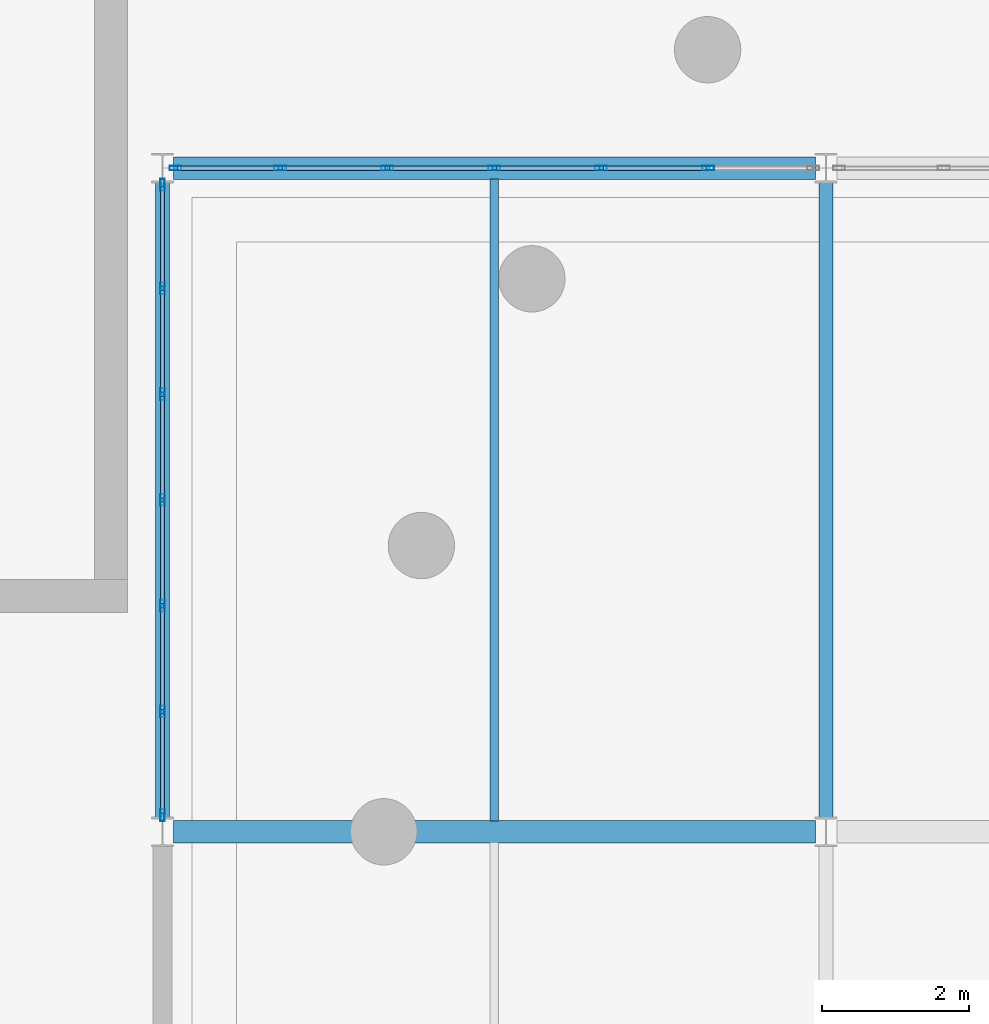
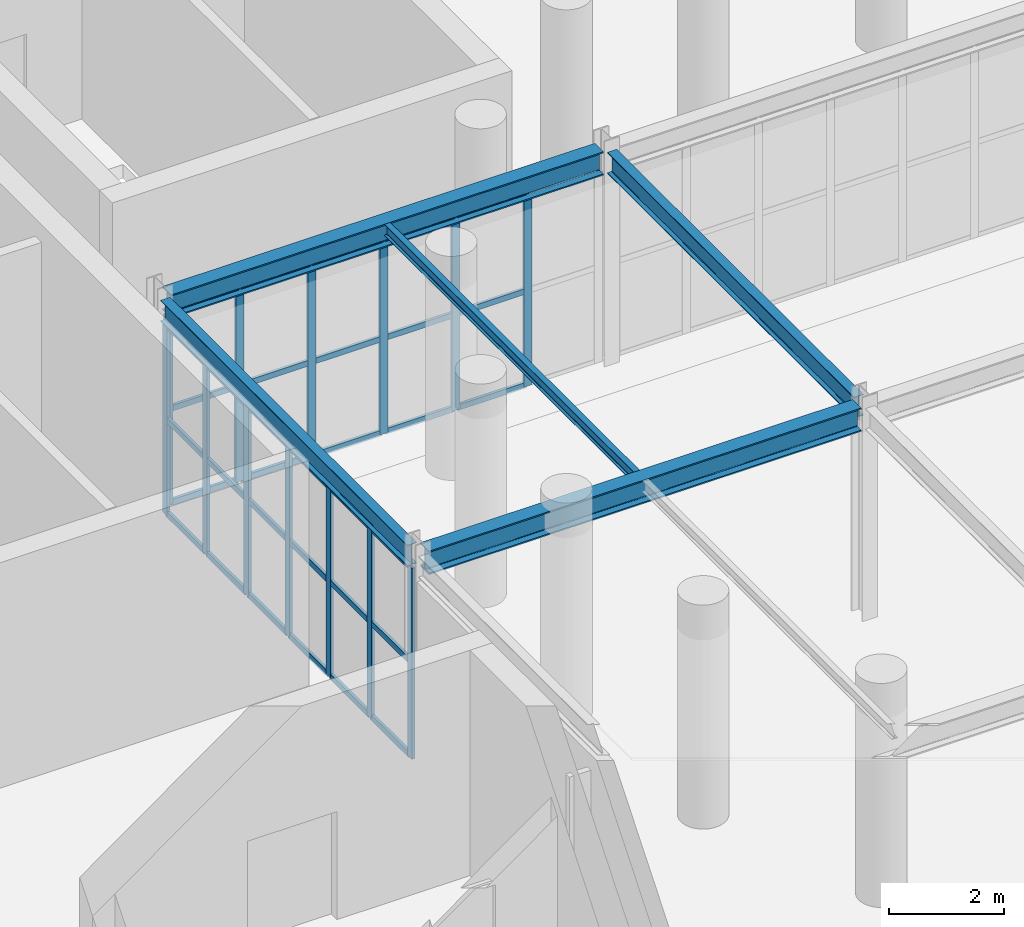
# One storey, part 8 of 29: 46 members, 5 beams, 2 elements without a shape of their own.
"""IFC4 building model written with IfcOpenShell, lengths in metres."""

import ifcopenshell
import ifcopenshell.guid

model = None  # the IFC model being written
_history = None  # IfcOwnerHistory: only IFC2X3 demands one
_inside = {}  # id of a spatial element -> (the spatial element, [elements in it])
_under = {}  # id of a project, library or spatial element -> (it, [spatial elements below it])
_declared = {}  # id of a project -> (the project, [libraries it declares])
_typed = {}  # id of a type object -> (the type object, [elements of that type])
_made_of = {}  # id of a material, layer set ... -> (it, [elements and type objects made of it])


def new_model(schema):
    """Start an empty IFC model of exactly this schema.

    Asked for "IFC4X3", IfcOpenShell would pick the latest addendum, in which some entities
    have other attributes; the version numbers below select the first issue.
    IFC2X3 requires an IfcOwnerHistory on every rooted entity: one is made here for all.
    """
    global model, _history
    if schema == "IFC4X3":
        model = ifcopenshell.file(schema_version=(4, 3, 0, 0))
    else:
        model = ifcopenshell.file(schema=schema)
    _inside.clear()
    _under.clear()
    _declared.clear()
    _typed.clear()
    _made_of.clear()
    _history = None
    if model.schema == "IFC2X3":
        org = make("IfcOrganization", Name="unknown")
        user = make(
            "IfcPersonAndOrganization",
            ThePerson=make("IfcPerson", FamilyName="unknown"),
            TheOrganization=org,
        )
        app = make(
            "IfcApplication",
            ApplicationDeveloper=org,
            Version="unknown",
            ApplicationFullName="unknown",
            ApplicationIdentifier="unknown",
        )
        _history = make(
            "IfcOwnerHistory",
            OwningUser=user,
            OwningApplication=app,
            ChangeAction="ADDED",
            CreationDate=0,
        )
    return model


def make(cls, **values):
    """One entity of the class cls with the attributes given. An attribute that is None is left unset."""
    return model.create_entity(
        cls, **{name: value for name, value in values.items() if value is not None}
    )


def rooted(cls, **values):
    """An entity with a GlobalId (a new one), such as an element, a storey or a relation."""
    return make(cls, GlobalId=ifcopenshell.guid.new(), OwnerHistory=_history, **values)


def si_unit(unit_type, name, prefix=None):
    """IfcSIUnit, for example si_unit("LENGTHUNIT", "METRE", prefix="MILLI")."""
    return make("IfcSIUnit", UnitType=unit_type, Prefix=prefix, Name=name)


def assignment(units):
    """IfcUnitAssignment: the units of a project."""
    return None if units is None else make("IfcUnitAssignment", Units=units)


def point(xyz):
    """IfcCartesianPoint."""
    return None if xyz is None else make("IfcCartesianPoint", Coordinates=xyz)


def direction(xyz):
    """IfcDirection."""
    return None if xyz is None else make("IfcDirection", DirectionRatios=xyz)


def frame(location, z_axis=None, x_axis=None):
    """IfcAxis2Placement3D, a coordinate frame: its origin and axes. An axis left out is left unset."""
    return make(
        "IfcAxis2Placement3D",
        Location=point(location),
        Axis=direction(z_axis),
        RefDirection=direction(x_axis),
    )


def frame_2d(location, x_axis=None):
    """IfcAxis2Placement2D, a coordinate frame in the plane: its origin and x axis."""
    return make(
        "IfcAxis2Placement2D", Location=point(location), RefDirection=direction(x_axis)
    )


def origin():
    """The frame at (0, 0, 0) with its axes left unset."""
    return frame((0.0, 0.0, 0.0))


def origin_2d():
    """The frame at (0, 0) in the plane with its x axis left unset."""
    return frame_2d((0.0, 0.0))


def place(relative_to, where):
    """IfcLocalPlacement: puts the frame where relative to a parent placement (None: the world)."""
    return make(
        "IfcLocalPlacement", PlacementRelTo=relative_to, RelativePlacement=where
    )


def context(
    kind, dimensions, precision=None, world=None, true_north=None, identifier=None
):
    """IfcGeometricRepresentationContext, for example the 3D "Model" context."""
    return make(
        "IfcGeometricRepresentationContext",
        ContextIdentifier=identifier,
        ContextType=kind,
        CoordinateSpaceDimension=dimensions,
        Precision=precision,
        WorldCoordinateSystem=world,
        TrueNorth=true_north,
    )


def subcontext(parent, identifier, kind, view, scale=None):
    """IfcGeometricRepresentationSubContext, for example "Body" below "Model"."""
    return make(
        "IfcGeometricRepresentationSubContext",
        ContextIdentifier=identifier,
        ContextType=kind,
        ParentContext=parent,
        TargetScale=scale,
        TargetView=view,
    )


def project(units=None, contexts=None):
    """IfcProject with its units and contexts."""
    return rooted(
        "IfcProject",
        Name="project",
        RepresentationContexts=contexts,
        UnitsInContext=assignment(units),
    )


def spatial(cls, under=None, at=None, **own):
    """A site, building, storey or space (cls), placed at a placement, below another one or the project."""
    s = rooted(cls, ObjectPlacement=at, **own)
    if under is not None:
        _under.setdefault(under.id(), (under, []))[1].append(s)
    return s


def profile(cls, at=None, kind="AREA", **sizes):
    """A parametric profile (cls). Its sizes go by their IFC names, for example OverallWidth=200.0."""
    return make(cls, ProfileType=kind, Position=at, **sizes)


def hollow_rectangle(**sizes):
    """IfcRectangleHollowProfileDef."""
    return profile("IfcRectangleHollowProfileDef", **sizes)


def i_section(**sizes):
    """IfcIShapeProfileDef."""
    return profile("IfcIShapeProfileDef", **sizes)


def extrude(swept, where, along, depth):
    """IfcExtrudedAreaSolid: the profile swept, set in the frame where, extruded along a direction by depth."""
    return make(
        "IfcExtrudedAreaSolid",
        SweptArea=swept,
        Position=where,
        ExtrudedDirection=direction(along),
        Depth=depth,
    )


def shape(context_of_items, identifier, shape_type, items):
    """IfcShapeRepresentation: the items that make up one representation, for example the "Body"."""
    return make(
        "IfcShapeRepresentation",
        ContextOfItems=context_of_items,
        RepresentationIdentifier=identifier,
        RepresentationType=shape_type,
        Items=items,
    )


def material(Name=None, Category=None):
    """IfcMaterial."""
    return make("IfcMaterial", Name=Name, Category=Category)


def layer(
    of_material, thickness, ventilated=None, Name=None, Category=None, Priority=None
):
    """IfcMaterialLayer: one layer of a wall or slab, of a material (None: an air gap)."""
    return make(
        "IfcMaterialLayer",
        Material=of_material,
        LayerThickness=thickness,
        IsVentilated=ventilated,
        Name=Name,
        Category=Category,
        Priority=Priority,
    )


def layer_set(layers, Name=None):
    """IfcMaterialLayerSet."""
    return make("IfcMaterialLayerSet", MaterialLayers=layers, LayerSetName=Name)


def material_profile(
    of_material, cross_section, Name=None, Category=None, Priority=None
):
    """IfcMaterialProfile: a cross section and its material."""
    return make(
        "IfcMaterialProfile",
        Name=Name,
        Material=of_material,
        Profile=cross_section,
        Priority=Priority,
        Category=Category,
    )


def profile_set(profiles, Name=None, composite=None):
    """IfcMaterialProfileSet."""
    return make(
        "IfcMaterialProfileSet",
        Name=Name,
        MaterialProfiles=profiles,
        CompositeProfile=composite,
    )


def made_of(thing, what):
    """Note that an element or type object is made of a material, layer set ...; save() writes the relation."""
    if what is not None:
        _made_of.setdefault(what.id(), (what, []))[1].append(thing)
    return thing


def type_object(cls, material=None, **own):
    """A type object (cls), such as IfcWallType, which elements share."""
    return made_of(rooted(cls, **own), material)


def element(
    cls,
    number,
    at=None,
    inside=None,
    cuts=None,
    type_object=None,
    material=None,
    context=None,
    identifier="Body",
    shape_type=None,
    held_by="IfcProductDefinitionShape",
    body=None,
    shapes=None,
    **own,
):
    """One element of the class cls, such as IfcWall. Its Tag is "e" and its number.

    at: its placement. inside: the storey or other place that contains it. cuts: it is an
    opening in that element (IfcRelVoidsElement). A single representation is given by context,
    identifier, shape_type and body (its items); several are given by shapes. held_by: the class
    of the entity that holds the representations. save() writes the other relations.
    """
    e = rooted(cls, Tag="e%d" % number, ObjectPlacement=at, **own)
    if body is not None:
        shapes = [shape(context, identifier, shape_type, body)]
    if shapes is not None:
        e.Representation = make(held_by, Representations=shapes)
    if inside is not None:
        _inside.setdefault(inside.id(), (inside, []))[1].append(e)
    if cuts is not None:
        rooted(
            "IfcRelVoidsElement", RelatingBuildingElement=cuts, RelatedOpeningElement=e
        )
    if type_object is not None:
        _typed.setdefault(type_object.id(), (type_object, []))[1].append(e)
    return made_of(e, material)


def aggregate(whole, parts):
    """IfcRelAggregates: a whole, such as a stair, and the parts it consists of."""
    return rooted("IfcRelAggregates", RelatingObject=whole, RelatedObjects=parts)


def save(model, path):
    """Write the relations noted so far, then the file.

    IfcRelAggregates (storeys below a building ...), IfcRelContainedInSpatialStructure (elements
    in a storey), IfcRelDefinesByType, IfcRelAssociatesMaterial and IfcRelDeclares: one each for
    every whole, place, type object, material and project.
    """
    for whole, parts in _under.values():
        aggregate(whole, parts)
    for where, things in _inside.values():
        rooted(
            "IfcRelContainedInSpatialStructure",
            RelatedElements=things,
            RelatingStructure=where,
        )
    for kind, things in _typed.values():
        rooted("IfcRelDefinesByType", RelatedObjects=things, RelatingType=kind)
    for what, things in _made_of.values():
        rooted("IfcRelAssociatesMaterial", RelatedObjects=things, RelatingMaterial=what)
    for by, libraries in _declared.values():
        rooted("IfcRelDeclares", RelatingContext=by, RelatedDefinitions=libraries)
    model.write(path)


model = new_model("IFC4")

# Units and contexts
model_context = context("Model", 3, precision=1e-05, world=origin(), true_north=direction((0.0, 1.0)))
body_context = subcontext(model_context, "Body", "Model", "MODEL_VIEW")
ifc_project = project(units=[si_unit("LENGTHUNIT", "METRE"), si_unit("AREAUNIT", "SQUARE_METRE"), si_unit("VOLUMEUNIT", "CUBIC_METRE"), si_unit("PLANEANGLEUNIT", "RADIAN"), si_unit("MASSUNIT", "GRAM", prefix="KILO")], contexts=[model_context])

# Site, building, storey
site_placement = place(None, origin())
site = spatial("IfcSite", under=ifc_project, at=site_placement, CompositionType="ELEMENT")
building_placement = place(site_placement, origin())
building = spatial("IfcBuilding", under=site, at=building_placement, Name="Dornveld Trade and Exhibition Forum", CompositionType="ELEMENT")
storey_placement = place(building_placement, frame((0.0, 0.0, 21.60009765625)))
storey = spatial("IfcBuildingStorey", under=building, at=storey_placement, Name="L04", CompositionType="ELEMENT", Elevation=21.60009765625)

# Beams
ifc_material_1 = material(Name="Steel S355J2", Category="steel")
ifc_material_profile_1 = material_profile(ifc_material_1, i_section(OverallWidth=0.300048828125, OverallDepth=0.5, WebThickness=0.014404296875, FlangeThickness=0.028076171875, FilletRadius=0.027099609375, at=origin_2d()), Name="HEB 500")
ifc_profile_set_1 = profile_set([ifc_material_profile_1], Name="Steel S355J2")
beam_type_1 = type_object("IfcBeamType", Name="BM-GIR-HEB500", PredefinedType="USERDEFINED", material=ifc_profile_set_1)
for number, where, z_axis, x_axis, name in (
    (1, (99.14599609375, 81.0, 4.2998046875), (1.0, 0.0, 0.0), (0.0, 1.0, 0.0), "L04 X-girder 1680"),
    (2, (99.14599609375, 90.0, 4.2998046875), (1.0, 0.0, 0.0), (0.0, 1.0, 0.0), "L04 X-girder 1683"),
):
    element("IfcBeam", number, at=place(storey_placement, frame(where, z_axis=z_axis, x_axis=x_axis)), inside=storey, type_object=beam_type_1, Name=name, ObjectType="GIRDER", PredefinedType="USERDEFINED", context=body_context, shape_type="SweptSolid", body=[
        extrude(i_section(OverallWidth=0.300048828125, OverallDepth=0.5, WebThickness=0.014404296875, FlangeThickness=0.028076171875, FilletRadius=0.027099609375, at=origin_2d()), origin(), (0.0, 0.0, 1.0), 8.7080078125),
    ])
ifc_material_2 = material(Name="Steel S355J2", Category="steel")
ifc_material_profile_2 = material_profile(ifc_material_2, i_section(OverallWidth=0.1201171875, OverallDepth=0.239990234375, WebThickness=0.006103515625, FlangeThickness=0.009765625, FilletRadius=0.014892578125, at=origin_2d()), Name="IPE 240")
ifc_profile_set_2 = profile_set([ifc_material_profile_2], Name="Steel S355J2")
beam_type_2 = type_object("IfcBeamType", Name="BM-JOIST-240", PredefinedType="JOIST", material=ifc_profile_set_2)
beam_placement = place(storey_placement, frame((103.5, 81.14697265625, 4.429931640625), z_axis=(0.0, 1.0, 0.0), x_axis=(-1.0, 0.0, 0.0)))
element("IfcBeam", 3, at=beam_placement, inside=storey, type_object=beam_type_2, Name="L04 secondary joist 1700", PredefinedType="JOIST", context=body_context, shape_type="SweptSolid", body=[
    extrude(i_section(OverallWidth=0.1201171875, OverallDepth=0.239990234375, WebThickness=0.006103515625, FlangeThickness=0.009765625, FilletRadius=0.014892578125, at=origin_2d()), origin(), (0.0, 0.0, 1.0), 8.7060546875),
])
ifc_material_3 = material(Name="Steel S355J2", Category="steel")
ifc_material_profile_3 = material_profile(ifc_material_3, i_section(OverallWidth=0.18994140625, OverallDepth=0.449951171875, WebThickness=0.009521484375, FlangeThickness=0.0146484375, FilletRadius=0.02099609375, at=origin_2d()), Name="IPE 450")
ifc_profile_set_3 = profile_set([ifc_material_profile_3], Name="Steel S355J2")
beam_type_3 = type_object("IfcBeamType", Name="BM-SEC-450", PredefinedType="BEAM", material=ifc_profile_set_3)
for number, where, z_axis, x_axis, name in (
    (4, (99.0, 81.196044921875, 4.324951171875), (0.0, 1.0, 0.0), (-1.0, 0.0, 0.0), "L04 Y-girder 1688"),
    (5, (108.0, 81.196044921875, 4.324951171875), (0.0, 1.0, 0.0), (-1.0, 0.0, 0.0), "L04 Y-girder 1691"),
):
    element("IfcBeam", number, at=place(storey_placement, frame(where, z_axis=z_axis, x_axis=x_axis)), inside=storey, type_object=beam_type_3, Name=name, PredefinedType="BEAM", context=body_context, shape_type="SweptSolid", body=[
        extrude(i_section(OverallWidth=0.18994140625, OverallDepth=0.449951171875, WebThickness=0.009521484375, FlangeThickness=0.0146484375, FilletRadius=0.02099609375, at=origin_2d()), origin(), (0.0, 0.0, 1.0), 8.60791015625),
    ])

# Curtain wall, members
ifc_material_4 = material(Name="Dark-bronze anodised aluminium and low-E glass", Category="aluminium")
ifc_layer_1 = layer(ifc_material_4, 0.18994140625)
ifc_layer_set_1 = layer_set([ifc_layer_1], Name="Dark-bronze anodised aluminium and low-E glass")
curtain_wall_type_1 = type_object("IfcCurtainWallType", Name="CW-SYS-16", PredefinedType="USERDEFINED", material=ifc_layer_set_1)
curtain_wall_1_placement = place(storey_placement, origin())
curtain_wall_1 = element("IfcCurtainWall", 6, at=curtain_wall_1_placement, inside=storey, type_object=curtain_wall_type_1, Name="L04 unitised curtain wall 124", ObjectType="UNITISED_CURTAIN_WALL", PredefinedType="USERDEFINED")
ifc_material_5 = material(Name="Dark-bronze anodised aluminium", Category="aluminium")
ifc_material_profile_4 = material_profile(ifc_material_5, hollow_rectangle(XDim=0.06005859375, YDim=0.159912109375, WallThickness=0.00390625, at=origin_2d()), Name="RHS 160x60x4")
ifc_profile_set_4 = profile_set([ifc_material_profile_4], Name="Dark-bronze anodised aluminium")
member_type_1 = type_object("IfcMemberType", Name="CW-MUL-160", PredefinedType="MULLION", material=ifc_profile_set_4)
member_1_placement = place(storey_placement, frame((106.402587890625, 90.0, -0.004150390625), z_axis=(0.0, 0.0, 1.0), x_axis=(0.0, -1.0, 0.0)))
member_1 = element("IfcMember", 7, at=member_1_placement, type_object=member_type_1, Name="CW-16 mullion 2", PredefinedType="MULLION", context=body_context, shape_type="SweptSolid", body=[
    extrude(hollow_rectangle(XDim=0.06005859375, YDim=0.159912109375, WallThickness=0.00390625, at=origin_2d()), origin(), (0.0, 0.0, 1.0), 4.06396484375),
])
member_2_placement = place(storey_placement, frame((104.951416015625, 90.0, -0.004150390625), z_axis=(0.0, 0.0, 1.0), x_axis=(0.0, -1.0, 0.0)))
member_2 = element("IfcMember", 8, at=member_2_placement, type_object=member_type_1, Name="CW-16 mullion 3", PredefinedType="MULLION", context=body_context, shape_type="SweptSolid", body=[
    extrude(hollow_rectangle(XDim=0.06005859375, YDim=0.159912109375, WallThickness=0.00390625, at=origin_2d()), origin(), (0.0, 0.0, 1.0), 4.06396484375),
])
member_3_placement = place(storey_placement, frame((103.5, 90.0, -0.004150390625), z_axis=(0.0, 0.0, 1.0), x_axis=(0.0, -1.0, 0.0)))
member_3 = element("IfcMember", 9, at=member_3_placement, type_object=member_type_1, Name="CW-16 mullion 4", PredefinedType="MULLION", context=body_context, shape_type="SweptSolid", body=[
    extrude(hollow_rectangle(XDim=0.06005859375, YDim=0.159912109375, WallThickness=0.00390625, at=origin_2d()), origin(), (0.0, 0.0, 1.0), 4.06396484375),
])
member_4_placement = place(storey_placement, frame((102.048583984375, 90.0, -0.004150390625), z_axis=(0.0, 0.0, 1.0), x_axis=(0.0, -1.0, 0.0)))
member_4 = element("IfcMember", 10, at=member_4_placement, type_object=member_type_1, Name="CW-16 mullion 5", PredefinedType="MULLION", context=body_context, shape_type="SweptSolid", body=[
    extrude(hollow_rectangle(XDim=0.06005859375, YDim=0.159912109375, WallThickness=0.00390625, at=origin_2d()), origin(), (0.0, 0.0, 1.0), 4.06396484375),
])
member_5_placement = place(storey_placement, frame((100.597412109375, 90.0, -0.004150390625), z_axis=(0.0, 0.0, 1.0), x_axis=(0.0, -1.0, 0.0)))
member_5 = element("IfcMember", 11, at=member_5_placement, type_object=member_type_1, Name="CW-16 mullion 6", PredefinedType="MULLION", context=body_context, shape_type="SweptSolid", body=[
    extrude(hollow_rectangle(XDim=0.06005859375, YDim=0.159912109375, WallThickness=0.00390625, at=origin_2d()), origin(), (0.0, 0.0, 1.0), 4.06396484375),
])
member_6_placement = place(storey_placement, frame((99.176025390625, 90.0, -0.004150390625), z_axis=(0.0, 0.0, 1.0), x_axis=(0.0, -1.0, 0.0)))
member_6 = element("IfcMember", 12, at=member_6_placement, type_object=member_type_1, Name="CW-16 mullion 7", PredefinedType="MULLION", context=body_context, shape_type="SweptSolid", body=[
    extrude(hollow_rectangle(XDim=0.06005859375, YDim=0.159912109375, WallThickness=0.00390625, at=origin_2d()), origin(), (0.0, 0.0, 1.0), 4.06396484375),
])

ifc_material_6 = material(Name="Dark-bronze anodised aluminium and low-E glass", Category="aluminium")
ifc_layer_2 = layer(ifc_material_6, 0.159912109375)
ifc_layer_set_2 = layer_set([ifc_layer_2], Name="Dark-bronze anodised aluminium and low-E glass")
curtain_wall_type_2 = type_object("IfcCurtainWallType", Name="CW-SYS-06", PredefinedType="USERDEFINED", material=ifc_layer_set_2)
curtain_wall_2_placement = place(storey_placement, origin())
curtain_wall_2 = element("IfcCurtainWall", 13, at=curtain_wall_2_placement, inside=storey, type_object=curtain_wall_type_2, Name="L04 unitised curtain wall 132", ObjectType="UNITISED_CURTAIN_WALL", PredefinedType="USERDEFINED")
member_7_placement = place(storey_placement, frame((99.0, 89.77392578125, -0.004150390625), z_axis=(0.0, 0.0, 1.0), x_axis=(1.0, 0.0, 0.0)))
member_7 = element("IfcMember", 14, at=member_7_placement, type_object=member_type_1, Name="CW-06 mullion 1", PredefinedType="MULLION", context=body_context, shape_type="SweptSolid", body=[
    extrude(hollow_rectangle(XDim=0.06005859375, YDim=0.159912109375, WallThickness=0.00390625, at=origin_2d()), origin(), (0.0, 0.0, 1.0), 4.06396484375),
])
member_8_placement = place(storey_placement, frame((99.0, 88.369384765625, -0.004150390625), z_axis=(0.0, 0.0, 1.0), x_axis=(1.0, 0.0, 0.0)))
member_8 = element("IfcMember", 15, at=member_8_placement, type_object=member_type_1, Name="CW-06 mullion 2", PredefinedType="MULLION", context=body_context, shape_type="SweptSolid", body=[
    extrude(hollow_rectangle(XDim=0.06005859375, YDim=0.159912109375, WallThickness=0.00390625, at=origin_2d()), origin(), (0.0, 0.0, 1.0), 4.06396484375),
])
member_9_placement = place(storey_placement, frame((99.0, 86.9345703125, -0.004150390625), z_axis=(0.0, 0.0, 1.0), x_axis=(1.0, 0.0, 0.0)))
member_9 = element("IfcMember", 16, at=member_9_placement, type_object=member_type_1, Name="CW-06 mullion 3", PredefinedType="MULLION", context=body_context, shape_type="SweptSolid", body=[
    extrude(hollow_rectangle(XDim=0.06005859375, YDim=0.159912109375, WallThickness=0.00390625, at=origin_2d()), origin(), (0.0, 0.0, 1.0), 4.06396484375),
])
member_10_placement = place(storey_placement, frame((99.0, 85.5, -0.004150390625), z_axis=(0.0, 0.0, 1.0), x_axis=(1.0, 0.0, 0.0)))
member_10 = element("IfcMember", 17, at=member_10_placement, type_object=member_type_1, Name="CW-06 mullion 4", PredefinedType="MULLION", context=body_context, shape_type="SweptSolid", body=[
    extrude(hollow_rectangle(XDim=0.06005859375, YDim=0.159912109375, WallThickness=0.00390625, at=origin_2d()), origin(), (0.0, 0.0, 1.0), 4.06396484375),
])
member_11_placement = place(storey_placement, frame((99.0, 84.0654296875, -0.004150390625), z_axis=(0.0, 0.0, 1.0), x_axis=(1.0, 0.0, 0.0)))
member_11 = element("IfcMember", 18, at=member_11_placement, type_object=member_type_1, Name="CW-06 mullion 5", PredefinedType="MULLION", context=body_context, shape_type="SweptSolid", body=[
    extrude(hollow_rectangle(XDim=0.06005859375, YDim=0.159912109375, WallThickness=0.00390625, at=origin_2d()), origin(), (0.0, 0.0, 1.0), 4.06396484375),
])
member_12_placement = place(storey_placement, frame((99.0, 82.630615234375, -0.004150390625), z_axis=(0.0, 0.0, 1.0), x_axis=(1.0, 0.0, 0.0)))
member_12 = element("IfcMember", 19, at=member_12_placement, type_object=member_type_1, Name="CW-06 mullion 6", PredefinedType="MULLION", context=body_context, shape_type="SweptSolid", body=[
    extrude(hollow_rectangle(XDim=0.06005859375, YDim=0.159912109375, WallThickness=0.00390625, at=origin_2d()), origin(), (0.0, 0.0, 1.0), 4.06396484375),
])
member_13_placement = place(storey_placement, frame((99.0, 81.22607421875, -0.004150390625), z_axis=(0.0, 0.0, 1.0), x_axis=(1.0, 0.0, 0.0)))
member_13 = element("IfcMember", 20, at=member_13_placement, type_object=member_type_1, Name="CW-06 mullion 7", PredefinedType="MULLION", context=body_context, shape_type="SweptSolid", body=[
    extrude(hollow_rectangle(XDim=0.06005859375, YDim=0.159912109375, WallThickness=0.00390625, at=origin_2d()), origin(), (0.0, 0.0, 1.0), 4.06396484375),
])

# Member
ifc_material_7 = material(Name="Dark-bronze anodised aluminium", Category="aluminium")
ifc_material_profile_5 = material_profile(ifc_material_7, hollow_rectangle(XDim=0.06005859375, YDim=0.1201171875, WallThickness=0.00390625, at=origin_2d()), Name="RHS 120x60x4")
ifc_profile_set_5 = profile_set([ifc_material_profile_5], Name="Dark-bronze anodised aluminium")
member_type_2 = type_object("IfcMemberType", Name="CW-TRN-120", PredefinedType="USERDEFINED", material=ifc_profile_set_5)
member_14_placement = place(storey_placement, frame((106.37255859375, 90.0, 0.02587890625), z_axis=(-1.0, 0.0, 0.0), x_axis=(0.0, -1.0, 0.0)))
member_14 = element("IfcMember", 21, at=member_14_placement, type_object=member_type_2, Name="CW-16 transom 2.1", ObjectType="TRANSOM", PredefinedType="USERDEFINED", context=body_context, shape_type="SweptSolid", body=[
    extrude(hollow_rectangle(XDim=0.06005859375, YDim=0.1201171875, WallThickness=0.00390625, at=origin_2d()), origin(), (0.0, 0.0, 1.0), 1.39111328125),
])

member_15_placement = place(storey_placement, frame((106.37255859375, 90.0, 2.02783203125), z_axis=(-1.0, 0.0, 0.0), x_axis=(0.0, -1.0, 0.0)))
member_15 = element("IfcMember", 22, at=member_15_placement, type_object=member_type_2, Name="CW-16 transom 2.2", ObjectType="TRANSOM", PredefinedType="USERDEFINED", context=body_context, shape_type="SweptSolid", body=[
    extrude(hollow_rectangle(XDim=0.06005859375, YDim=0.1201171875, WallThickness=0.00390625, at=origin_2d()), origin(), (0.0, 0.0, 1.0), 1.39111328125),
])

member_16_placement = place(storey_placement, frame((106.37255859375, 90.0, 4.02978515625), z_axis=(-1.0, 0.0, 0.0), x_axis=(0.0, -1.0, 0.0)))
member_16 = element("IfcMember", 23, at=member_16_placement, type_object=member_type_2, Name="CW-16 transom 2.3", ObjectType="TRANSOM", PredefinedType="USERDEFINED", context=body_context, shape_type="SweptSolid", body=[
    extrude(hollow_rectangle(XDim=0.06005859375, YDim=0.1201171875, WallThickness=0.00390625, at=origin_2d()), origin(), (0.0, 0.0, 1.0), 1.39111328125),
])

member_17_placement = place(storey_placement, frame((104.92138671875, 90.0, 0.02587890625), z_axis=(-1.0, 0.0, 0.0), x_axis=(0.0, -1.0, 0.0)))
member_17 = element("IfcMember", 24, at=member_17_placement, type_object=member_type_2, Name="CW-16 transom 3.1", ObjectType="TRANSOM", PredefinedType="USERDEFINED", context=body_context, shape_type="SweptSolid", body=[
    extrude(hollow_rectangle(XDim=0.06005859375, YDim=0.1201171875, WallThickness=0.00390625, at=origin_2d()), origin(), (0.0, 0.0, 1.0), 1.391357421875),
])

member_18_placement = place(storey_placement, frame((104.92138671875, 90.0, 2.02783203125), z_axis=(-1.0, 0.0, 0.0), x_axis=(0.0, -1.0, 0.0)))
member_18 = element("IfcMember", 25, at=member_18_placement, type_object=member_type_2, Name="CW-16 transom 3.2", ObjectType="TRANSOM", PredefinedType="USERDEFINED", context=body_context, shape_type="SweptSolid", body=[
    extrude(hollow_rectangle(XDim=0.06005859375, YDim=0.1201171875, WallThickness=0.00390625, at=origin_2d()), origin(), (0.0, 0.0, 1.0), 1.391357421875),
])

member_19_placement = place(storey_placement, frame((104.92138671875, 90.0, 4.02978515625), z_axis=(-1.0, 0.0, 0.0), x_axis=(0.0, -1.0, 0.0)))
member_19 = element("IfcMember", 26, at=member_19_placement, type_object=member_type_2, Name="CW-16 transom 3.3", ObjectType="TRANSOM", PredefinedType="USERDEFINED", context=body_context, shape_type="SweptSolid", body=[
    extrude(hollow_rectangle(XDim=0.06005859375, YDim=0.1201171875, WallThickness=0.00390625, at=origin_2d()), origin(), (0.0, 0.0, 1.0), 1.391357421875),
])

member_20_placement = place(storey_placement, frame((103.469970703125, 90.0, 0.02587890625), z_axis=(-1.0, 0.0, 0.0), x_axis=(0.0, -1.0, 0.0)))
member_20 = element("IfcMember", 27, at=member_20_placement, type_object=member_type_2, Name="CW-16 transom 4.1", ObjectType="TRANSOM", PredefinedType="USERDEFINED", context=body_context, shape_type="SweptSolid", body=[
    extrude(hollow_rectangle(XDim=0.06005859375, YDim=0.1201171875, WallThickness=0.00390625, at=origin_2d()), origin(), (0.0, 0.0, 1.0), 1.391357421875),
])

member_21_placement = place(storey_placement, frame((103.469970703125, 90.0, 2.02783203125), z_axis=(-1.0, 0.0, 0.0), x_axis=(0.0, -1.0, 0.0)))
member_21 = element("IfcMember", 28, at=member_21_placement, type_object=member_type_2, Name="CW-16 transom 4.2", ObjectType="TRANSOM", PredefinedType="USERDEFINED", context=body_context, shape_type="SweptSolid", body=[
    extrude(hollow_rectangle(XDim=0.06005859375, YDim=0.1201171875, WallThickness=0.00390625, at=origin_2d()), origin(), (0.0, 0.0, 1.0), 1.391357421875),
])

member_22_placement = place(storey_placement, frame((103.469970703125, 90.0, 4.02978515625), z_axis=(-1.0, 0.0, 0.0), x_axis=(0.0, -1.0, 0.0)))
member_22 = element("IfcMember", 29, at=member_22_placement, type_object=member_type_2, Name="CW-16 transom 4.3", ObjectType="TRANSOM", PredefinedType="USERDEFINED", context=body_context, shape_type="SweptSolid", body=[
    extrude(hollow_rectangle(XDim=0.06005859375, YDim=0.1201171875, WallThickness=0.00390625, at=origin_2d()), origin(), (0.0, 0.0, 1.0), 1.391357421875),
])

member_23_placement = place(storey_placement, frame((102.0185546875, 90.0, 0.02587890625), z_axis=(-1.0, 0.0, 0.0), x_axis=(0.0, -1.0, 0.0)))
member_23 = element("IfcMember", 30, at=member_23_placement, type_object=member_type_2, Name="CW-16 transom 5.1", ObjectType="TRANSOM", PredefinedType="USERDEFINED", context=body_context, shape_type="SweptSolid", body=[
    extrude(hollow_rectangle(XDim=0.06005859375, YDim=0.1201171875, WallThickness=0.00390625, at=origin_2d()), origin(), (0.0, 0.0, 1.0), 1.39111328125),
])

member_24_placement = place(storey_placement, frame((102.0185546875, 90.0, 2.02783203125), z_axis=(-1.0, 0.0, 0.0), x_axis=(0.0, -1.0, 0.0)))
member_24 = element("IfcMember", 31, at=member_24_placement, type_object=member_type_2, Name="CW-16 transom 5.2", ObjectType="TRANSOM", PredefinedType="USERDEFINED", context=body_context, shape_type="SweptSolid", body=[
    extrude(hollow_rectangle(XDim=0.06005859375, YDim=0.1201171875, WallThickness=0.00390625, at=origin_2d()), origin(), (0.0, 0.0, 1.0), 1.39111328125),
])

member_25_placement = place(storey_placement, frame((102.0185546875, 90.0, 4.02978515625), z_axis=(-1.0, 0.0, 0.0), x_axis=(0.0, -1.0, 0.0)))
member_25 = element("IfcMember", 32, at=member_25_placement, type_object=member_type_2, Name="CW-16 transom 5.3", ObjectType="TRANSOM", PredefinedType="USERDEFINED", context=body_context, shape_type="SweptSolid", body=[
    extrude(hollow_rectangle(XDim=0.06005859375, YDim=0.1201171875, WallThickness=0.00390625, at=origin_2d()), origin(), (0.0, 0.0, 1.0), 1.39111328125),
])

member_26_placement = place(storey_placement, frame((100.5673828125, 90.0, 0.02587890625), z_axis=(-1.0, 0.0, 0.0), x_axis=(0.0, -1.0, 0.0)))
member_26 = element("IfcMember", 33, at=member_26_placement, type_object=member_type_2, Name="CW-16 transom 6.1", ObjectType="TRANSOM", PredefinedType="USERDEFINED", context=body_context, shape_type="SweptSolid", body=[
    extrude(hollow_rectangle(XDim=0.06005859375, YDim=0.1201171875, WallThickness=0.00390625, at=origin_2d()), origin(), (0.0, 0.0, 1.0), 1.361328125),
])

member_27_placement = place(storey_placement, frame((100.5673828125, 90.0, 2.02783203125), z_axis=(-1.0, 0.0, 0.0), x_axis=(0.0, -1.0, 0.0)))
member_27 = element("IfcMember", 34, at=member_27_placement, type_object=member_type_2, Name="CW-16 transom 6.2", ObjectType="TRANSOM", PredefinedType="USERDEFINED", context=body_context, shape_type="SweptSolid", body=[
    extrude(hollow_rectangle(XDim=0.06005859375, YDim=0.1201171875, WallThickness=0.00390625, at=origin_2d()), origin(), (0.0, 0.0, 1.0), 1.361328125),
])

member_28_placement = place(storey_placement, frame((100.5673828125, 90.0, 4.02978515625), z_axis=(-1.0, 0.0, 0.0), x_axis=(0.0, -1.0, 0.0)))
member_28 = element("IfcMember", 35, at=member_28_placement, type_object=member_type_2, Name="CW-16 transom 6.3", ObjectType="TRANSOM", PredefinedType="USERDEFINED", context=body_context, shape_type="SweptSolid", body=[
    extrude(hollow_rectangle(XDim=0.06005859375, YDim=0.1201171875, WallThickness=0.00390625, at=origin_2d()), origin(), (0.0, 0.0, 1.0), 1.361328125),
])

aggregate(curtain_wall_1, [member_1, member_2, member_3, member_4, member_5, member_6, member_14, member_15, member_16, member_17, member_18, member_19, member_20, member_21, member_22, member_23, member_24, member_25, member_26, member_27, member_28])

member_29_placement = place(storey_placement, frame((99.0, 89.743896484375, 0.02587890625), z_axis=(0.0, -1.0, 0.0), x_axis=(1.0, 0.0, 0.0)))
member_29 = element("IfcMember", 36, at=member_29_placement, type_object=member_type_2, Name="CW-06 transom 1.1", ObjectType="TRANSOM", PredefinedType="USERDEFINED", context=body_context, shape_type="SweptSolid", body=[
    extrude(hollow_rectangle(XDim=0.06005859375, YDim=0.1201171875, WallThickness=0.00390625, at=origin_2d()), origin(), (0.0, 0.0, 1.0), 1.344482421875),
])

member_30_placement = place(storey_placement, frame((99.0, 89.743896484375, 2.02783203125), z_axis=(0.0, -1.0, 0.0), x_axis=(1.0, 0.0, 0.0)))
member_30 = element("IfcMember", 37, at=member_30_placement, type_object=member_type_2, Name="CW-06 transom 1.2", ObjectType="TRANSOM", PredefinedType="USERDEFINED", context=body_context, shape_type="SweptSolid", body=[
    extrude(hollow_rectangle(XDim=0.06005859375, YDim=0.1201171875, WallThickness=0.00390625, at=origin_2d()), origin(), (0.0, 0.0, 1.0), 1.344482421875),
])

member_31_placement = place(storey_placement, frame((99.0, 89.743896484375, 4.02978515625), z_axis=(0.0, -1.0, 0.0), x_axis=(1.0, 0.0, 0.0)))
member_31 = element("IfcMember", 38, at=member_31_placement, type_object=member_type_2, Name="CW-06 transom 1.3", ObjectType="TRANSOM", PredefinedType="USERDEFINED", context=body_context, shape_type="SweptSolid", body=[
    extrude(hollow_rectangle(XDim=0.06005859375, YDim=0.1201171875, WallThickness=0.00390625, at=origin_2d()), origin(), (0.0, 0.0, 1.0), 1.344482421875),
])

member_32_placement = place(storey_placement, frame((99.0, 88.33935546875, 0.02587890625), z_axis=(0.0, -1.0, 0.0), x_axis=(1.0, 0.0, 0.0)))
member_32 = element("IfcMember", 39, at=member_32_placement, type_object=member_type_2, Name="CW-06 transom 2.1", ObjectType="TRANSOM", PredefinedType="USERDEFINED", context=body_context, shape_type="SweptSolid", body=[
    extrude(hollow_rectangle(XDim=0.06005859375, YDim=0.1201171875, WallThickness=0.00390625, at=origin_2d()), origin(), (0.0, 0.0, 1.0), 1.374755859375),
])

member_33_placement = place(storey_placement, frame((99.0, 88.33935546875, 2.02783203125), z_axis=(0.0, -1.0, 0.0), x_axis=(1.0, 0.0, 0.0)))
member_33 = element("IfcMember", 40, at=member_33_placement, type_object=member_type_2, Name="CW-06 transom 2.2", ObjectType="TRANSOM", PredefinedType="USERDEFINED", context=body_context, shape_type="SweptSolid", body=[
    extrude(hollow_rectangle(XDim=0.06005859375, YDim=0.1201171875, WallThickness=0.00390625, at=origin_2d()), origin(), (0.0, 0.0, 1.0), 1.374755859375),
])

member_34_placement = place(storey_placement, frame((99.0, 88.33935546875, 4.02978515625), z_axis=(0.0, -1.0, 0.0), x_axis=(1.0, 0.0, 0.0)))
member_34 = element("IfcMember", 41, at=member_34_placement, type_object=member_type_2, Name="CW-06 transom 2.3", ObjectType="TRANSOM", PredefinedType="USERDEFINED", context=body_context, shape_type="SweptSolid", body=[
    extrude(hollow_rectangle(XDim=0.06005859375, YDim=0.1201171875, WallThickness=0.00390625, at=origin_2d()), origin(), (0.0, 0.0, 1.0), 1.374755859375),
])

member_35_placement = place(storey_placement, frame((99.0, 86.90478515625, 0.02587890625), z_axis=(0.0, -1.0, 0.0), x_axis=(1.0, 0.0, 0.0)))
member_35 = element("IfcMember", 42, at=member_35_placement, type_object=member_type_2, Name="CW-06 transom 3.1", ObjectType="TRANSOM", PredefinedType="USERDEFINED", context=body_context, shape_type="SweptSolid", body=[
    extrude(hollow_rectangle(XDim=0.06005859375, YDim=0.1201171875, WallThickness=0.00390625, at=origin_2d()), origin(), (0.0, 0.0, 1.0), 1.374755859375),
])

member_36_placement = place(storey_placement, frame((99.0, 86.90478515625, 2.02783203125), z_axis=(0.0, -1.0, 0.0), x_axis=(1.0, 0.0, 0.0)))
member_36 = element("IfcMember", 43, at=member_36_placement, type_object=member_type_2, Name="CW-06 transom 3.2", ObjectType="TRANSOM", PredefinedType="USERDEFINED", context=body_context, shape_type="SweptSolid", body=[
    extrude(hollow_rectangle(XDim=0.06005859375, YDim=0.1201171875, WallThickness=0.00390625, at=origin_2d()), origin(), (0.0, 0.0, 1.0), 1.374755859375),
])

member_37_placement = place(storey_placement, frame((99.0, 86.90478515625, 4.02978515625), z_axis=(0.0, -1.0, 0.0), x_axis=(1.0, 0.0, 0.0)))
member_37 = element("IfcMember", 44, at=member_37_placement, type_object=member_type_2, Name="CW-06 transom 3.3", ObjectType="TRANSOM", PredefinedType="USERDEFINED", context=body_context, shape_type="SweptSolid", body=[
    extrude(hollow_rectangle(XDim=0.06005859375, YDim=0.1201171875, WallThickness=0.00390625, at=origin_2d()), origin(), (0.0, 0.0, 1.0), 1.374755859375),
])

member_38_placement = place(storey_placement, frame((99.0, 85.469970703125, 0.02587890625), z_axis=(0.0, -1.0, 0.0), x_axis=(1.0, 0.0, 0.0)))
member_38 = element("IfcMember", 45, at=member_38_placement, type_object=member_type_2, Name="CW-06 transom 4.1", ObjectType="TRANSOM", PredefinedType="USERDEFINED", context=body_context, shape_type="SweptSolid", body=[
    extrude(hollow_rectangle(XDim=0.06005859375, YDim=0.1201171875, WallThickness=0.00390625, at=origin_2d()), origin(), (0.0, 0.0, 1.0), 1.374755859375),
])

member_39_placement = place(storey_placement, frame((99.0, 85.469970703125, 2.02783203125), z_axis=(0.0, -1.0, 0.0), x_axis=(1.0, 0.0, 0.0)))
member_39 = element("IfcMember", 46, at=member_39_placement, type_object=member_type_2, Name="CW-06 transom 4.2", ObjectType="TRANSOM", PredefinedType="USERDEFINED", context=body_context, shape_type="SweptSolid", body=[
    extrude(hollow_rectangle(XDim=0.06005859375, YDim=0.1201171875, WallThickness=0.00390625, at=origin_2d()), origin(), (0.0, 0.0, 1.0), 1.374755859375),
])

member_40_placement = place(storey_placement, frame((99.0, 85.469970703125, 4.02978515625), z_axis=(0.0, -1.0, 0.0), x_axis=(1.0, 0.0, 0.0)))
member_40 = element("IfcMember", 47, at=member_40_placement, type_object=member_type_2, Name="CW-06 transom 4.3", ObjectType="TRANSOM", PredefinedType="USERDEFINED", context=body_context, shape_type="SweptSolid", body=[
    extrude(hollow_rectangle(XDim=0.06005859375, YDim=0.1201171875, WallThickness=0.00390625, at=origin_2d()), origin(), (0.0, 0.0, 1.0), 1.374755859375),
])

member_41_placement = place(storey_placement, frame((99.0, 84.035400390625, 0.02587890625), z_axis=(0.0, -1.0, 0.0), x_axis=(1.0, 0.0, 0.0)))
member_41 = element("IfcMember", 48, at=member_41_placement, type_object=member_type_2, Name="CW-06 transom 5.1", ObjectType="TRANSOM", PredefinedType="USERDEFINED", context=body_context, shape_type="SweptSolid", body=[
    extrude(hollow_rectangle(XDim=0.06005859375, YDim=0.1201171875, WallThickness=0.00390625, at=origin_2d()), origin(), (0.0, 0.0, 1.0), 1.374755859375),
])

member_42_placement = place(storey_placement, frame((99.0, 84.035400390625, 2.02783203125), z_axis=(0.0, -1.0, 0.0), x_axis=(1.0, 0.0, 0.0)))
member_42 = element("IfcMember", 49, at=member_42_placement, type_object=member_type_2, Name="CW-06 transom 5.2", ObjectType="TRANSOM", PredefinedType="USERDEFINED", context=body_context, shape_type="SweptSolid", body=[
    extrude(hollow_rectangle(XDim=0.06005859375, YDim=0.1201171875, WallThickness=0.00390625, at=origin_2d()), origin(), (0.0, 0.0, 1.0), 1.374755859375),
])

member_43_placement = place(storey_placement, frame((99.0, 84.035400390625, 4.02978515625), z_axis=(0.0, -1.0, 0.0), x_axis=(1.0, 0.0, 0.0)))
member_43 = element("IfcMember", 50, at=member_43_placement, type_object=member_type_2, Name="CW-06 transom 5.3", ObjectType="TRANSOM", PredefinedType="USERDEFINED", context=body_context, shape_type="SweptSolid", body=[
    extrude(hollow_rectangle(XDim=0.06005859375, YDim=0.1201171875, WallThickness=0.00390625, at=origin_2d()), origin(), (0.0, 0.0, 1.0), 1.374755859375),
])

member_44_placement = place(storey_placement, frame((99.0, 82.6005859375, 0.02587890625), z_axis=(0.0, -1.0, 0.0), x_axis=(1.0, 0.0, 0.0)))
member_44 = element("IfcMember", 51, at=member_44_placement, type_object=member_type_2, Name="CW-06 transom 6.1", ObjectType="TRANSOM", PredefinedType="USERDEFINED", context=body_context, shape_type="SweptSolid", body=[
    extrude(hollow_rectangle(XDim=0.06005859375, YDim=0.1201171875, WallThickness=0.00390625, at=origin_2d()), origin(), (0.0, 0.0, 1.0), 1.344482421875),
])

member_45_placement = place(storey_placement, frame((99.0, 82.6005859375, 2.02783203125), z_axis=(0.0, -1.0, 0.0), x_axis=(1.0, 0.0, 0.0)))
member_45 = element("IfcMember", 52, at=member_45_placement, type_object=member_type_2, Name="CW-06 transom 6.2", ObjectType="TRANSOM", PredefinedType="USERDEFINED", context=body_context, shape_type="SweptSolid", body=[
    extrude(hollow_rectangle(XDim=0.06005859375, YDim=0.1201171875, WallThickness=0.00390625, at=origin_2d()), origin(), (0.0, 0.0, 1.0), 1.344482421875),
])

member_46_placement = place(storey_placement, frame((99.0, 82.6005859375, 4.02978515625), z_axis=(0.0, -1.0, 0.0), x_axis=(1.0, 0.0, 0.0)))
member_46 = element("IfcMember", 53, at=member_46_placement, type_object=member_type_2, Name="CW-06 transom 6.3", ObjectType="TRANSOM", PredefinedType="USERDEFINED", context=body_context, shape_type="SweptSolid", body=[
    extrude(hollow_rectangle(XDim=0.06005859375, YDim=0.1201171875, WallThickness=0.00390625, at=origin_2d()), origin(), (0.0, 0.0, 1.0), 1.344482421875),
])

aggregate(curtain_wall_2, [member_7, member_8, member_9, member_10, member_11, member_12, member_13, member_29, member_30, member_31, member_32, member_33, member_34, member_35, member_36, member_37, member_38, member_39, member_40, member_41, member_42, member_43, member_44, member_45, member_46])

save(model, "model.ifc")
